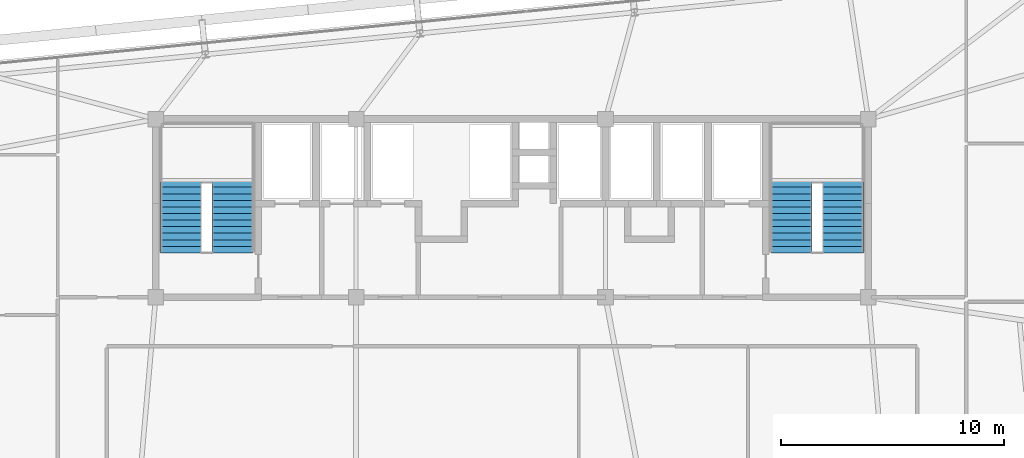
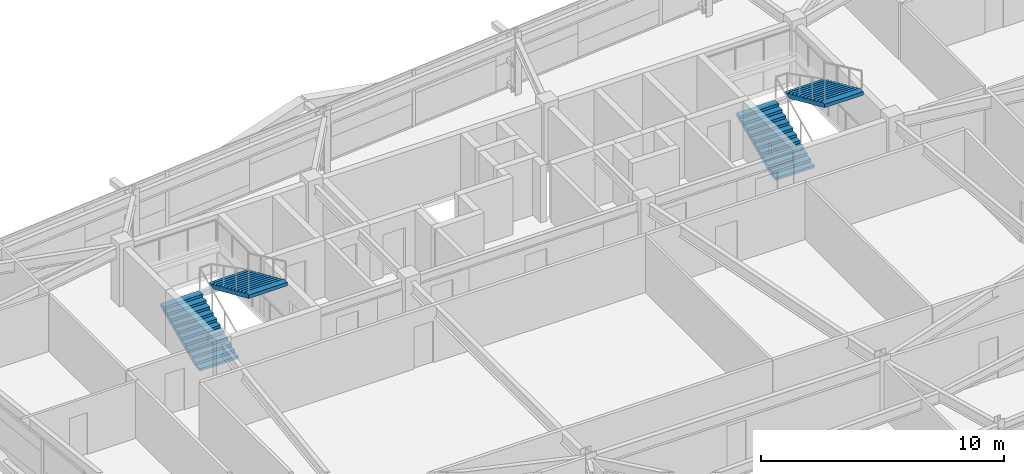
# One storey, part 44 of 47: 4 stair flights, 2 elements without a shape of their own.
"""IFC4 building model written with IfcOpenShell, lengths in metres."""

import ifcopenshell
import ifcopenshell.guid

model = None  # the IFC model being written
_history = None  # IfcOwnerHistory: only IFC2X3 demands one
_inside = {}  # id of a spatial element -> (the spatial element, [elements in it])
_under = {}  # id of a project, library or spatial element -> (it, [spatial elements below it])
_declared = {}  # id of a project -> (the project, [libraries it declares])
_typed = {}  # id of a type object -> (the type object, [elements of that type])
_made_of = {}  # id of a material, layer set ... -> (it, [elements and type objects made of it])


def new_model(schema):
    """Start an empty IFC model of exactly this schema.

    Asked for "IFC4X3", IfcOpenShell would pick the latest addendum, in which some entities
    have other attributes; the version numbers below select the first issue.
    IFC2X3 requires an IfcOwnerHistory on every rooted entity: one is made here for all.
    """
    global model, _history
    if schema == "IFC4X3":
        model = ifcopenshell.file(schema_version=(4, 3, 0, 0))
    else:
        model = ifcopenshell.file(schema=schema)
    _inside.clear()
    _under.clear()
    _declared.clear()
    _typed.clear()
    _made_of.clear()
    _history = None
    if model.schema == "IFC2X3":
        org = make("IfcOrganization", Name="unknown")
        user = make(
            "IfcPersonAndOrganization",
            ThePerson=make("IfcPerson", FamilyName="unknown"),
            TheOrganization=org,
        )
        app = make(
            "IfcApplication",
            ApplicationDeveloper=org,
            Version="unknown",
            ApplicationFullName="unknown",
            ApplicationIdentifier="unknown",
        )
        _history = make(
            "IfcOwnerHistory",
            OwningUser=user,
            OwningApplication=app,
            ChangeAction="ADDED",
            CreationDate=0,
        )
    return model


def make(cls, **values):
    """One entity of the class cls with the attributes given. An attribute that is None is left unset."""
    return model.create_entity(
        cls, **{name: value for name, value in values.items() if value is not None}
    )


def rooted(cls, **values):
    """An entity with a GlobalId (a new one), such as an element, a storey or a relation."""
    return make(cls, GlobalId=ifcopenshell.guid.new(), OwnerHistory=_history, **values)


def si_unit(unit_type, name, prefix=None):
    """IfcSIUnit, for example si_unit("LENGTHUNIT", "METRE", prefix="MILLI")."""
    return make("IfcSIUnit", UnitType=unit_type, Prefix=prefix, Name=name)


def assignment(units):
    """IfcUnitAssignment: the units of a project."""
    return None if units is None else make("IfcUnitAssignment", Units=units)


def point(xyz):
    """IfcCartesianPoint."""
    return None if xyz is None else make("IfcCartesianPoint", Coordinates=xyz)


def direction(xyz):
    """IfcDirection."""
    return None if xyz is None else make("IfcDirection", DirectionRatios=xyz)


def frame(location, z_axis=None, x_axis=None):
    """IfcAxis2Placement3D, a coordinate frame: its origin and axes. An axis left out is left unset."""
    return make(
        "IfcAxis2Placement3D",
        Location=point(location),
        Axis=direction(z_axis),
        RefDirection=direction(x_axis),
    )


def origin():
    """The frame at (0, 0, 0) with its axes left unset."""
    return frame((0.0, 0.0, 0.0))


def place(relative_to, where):
    """IfcLocalPlacement: puts the frame where relative to a parent placement (None: the world)."""
    return make(
        "IfcLocalPlacement", PlacementRelTo=relative_to, RelativePlacement=where
    )


def context(
    kind, dimensions, precision=None, world=None, true_north=None, identifier=None
):
    """IfcGeometricRepresentationContext, for example the 3D "Model" context."""
    return make(
        "IfcGeometricRepresentationContext",
        ContextIdentifier=identifier,
        ContextType=kind,
        CoordinateSpaceDimension=dimensions,
        Precision=precision,
        WorldCoordinateSystem=world,
        TrueNorth=true_north,
    )


def subcontext(parent, identifier, kind, view, scale=None):
    """IfcGeometricRepresentationSubContext, for example "Body" below "Model"."""
    return make(
        "IfcGeometricRepresentationSubContext",
        ContextIdentifier=identifier,
        ContextType=kind,
        ParentContext=parent,
        TargetScale=scale,
        TargetView=view,
    )


def project(units=None, contexts=None):
    """IfcProject with its units and contexts."""
    return rooted(
        "IfcProject",
        Name="project",
        RepresentationContexts=contexts,
        UnitsInContext=assignment(units),
    )


def spatial(cls, under=None, at=None, **own):
    """A site, building, storey or space (cls), placed at a placement, below another one or the project."""
    s = rooted(cls, ObjectPlacement=at, **own)
    if under is not None:
        _under.setdefault(under.id(), (under, []))[1].append(s)
    return s


def polyline(points):
    """IfcPolyline through the points."""
    return make("IfcPolyline", Points=[point(p) for p in points])


def outline(outer, holes=None, kind="AREA"):
    """IfcArbitraryClosedProfileDef: a profile drawn as a closed curve; with holes, ...WithVoids."""
    if holes is None:
        return make("IfcArbitraryClosedProfileDef", ProfileType=kind, OuterCurve=outer)
    return make(
        "IfcArbitraryProfileDefWithVoids",
        ProfileType=kind,
        OuterCurve=outer,
        InnerCurves=holes,
    )


def extrude(swept, where, along, depth):
    """IfcExtrudedAreaSolid: the profile swept, set in the frame where, extruded along a direction by depth."""
    return make(
        "IfcExtrudedAreaSolid",
        SweptArea=swept,
        Position=where,
        ExtrudedDirection=direction(along),
        Depth=depth,
    )


def shape(context_of_items, identifier, shape_type, items):
    """IfcShapeRepresentation: the items that make up one representation, for example the "Body"."""
    return make(
        "IfcShapeRepresentation",
        ContextOfItems=context_of_items,
        RepresentationIdentifier=identifier,
        RepresentationType=shape_type,
        Items=items,
    )


def material(Name=None, Category=None):
    """IfcMaterial."""
    return make("IfcMaterial", Name=Name, Category=Category)


def made_of(thing, what):
    """Note that an element or type object is made of a material, layer set ...; save() writes the relation."""
    if what is not None:
        _made_of.setdefault(what.id(), (what, []))[1].append(thing)
    return thing


def type_object(cls, material=None, **own):
    """A type object (cls), such as IfcWallType, which elements share."""
    return made_of(rooted(cls, **own), material)


def element(
    cls,
    number,
    at=None,
    inside=None,
    cuts=None,
    type_object=None,
    material=None,
    context=None,
    identifier="Body",
    shape_type=None,
    held_by="IfcProductDefinitionShape",
    body=None,
    shapes=None,
    **own,
):
    """One element of the class cls, such as IfcWall. Its Tag is "e" and its number.

    at: its placement. inside: the storey or other place that contains it. cuts: it is an
    opening in that element (IfcRelVoidsElement). A single representation is given by context,
    identifier, shape_type and body (its items); several are given by shapes. held_by: the class
    of the entity that holds the representations. save() writes the other relations.
    """
    e = rooted(cls, Tag="e%d" % number, ObjectPlacement=at, **own)
    if body is not None:
        shapes = [shape(context, identifier, shape_type, body)]
    if shapes is not None:
        e.Representation = make(held_by, Representations=shapes)
    if inside is not None:
        _inside.setdefault(inside.id(), (inside, []))[1].append(e)
    if cuts is not None:
        rooted(
            "IfcRelVoidsElement", RelatingBuildingElement=cuts, RelatedOpeningElement=e
        )
    if type_object is not None:
        _typed.setdefault(type_object.id(), (type_object, []))[1].append(e)
    return made_of(e, material)


def aggregate(whole, parts):
    """IfcRelAggregates: a whole, such as a stair, and the parts it consists of."""
    return rooted("IfcRelAggregates", RelatingObject=whole, RelatedObjects=parts)


def save(model, path):
    """Write the relations noted so far, then the file.

    IfcRelAggregates (storeys below a building ...), IfcRelContainedInSpatialStructure (elements
    in a storey), IfcRelDefinesByType, IfcRelAssociatesMaterial and IfcRelDeclares: one each for
    every whole, place, type object, material and project.
    """
    for whole, parts in _under.values():
        aggregate(whole, parts)
    for where, things in _inside.values():
        rooted(
            "IfcRelContainedInSpatialStructure",
            RelatedElements=things,
            RelatingStructure=where,
        )
    for kind, things in _typed.values():
        rooted("IfcRelDefinesByType", RelatedObjects=things, RelatingType=kind)
    for what, things in _made_of.values():
        rooted("IfcRelAssociatesMaterial", RelatedObjects=things, RelatingMaterial=what)
    for by, libraries in _declared.values():
        rooted("IfcRelDeclares", RelatingContext=by, RelatedDefinitions=libraries)
    model.write(path)


model = new_model("IFC4")

# Units and contexts
model_context = context("Model", 3, precision=1e-05, world=origin(), true_north=direction((0.0, 1.0)))
body_context = subcontext(model_context, "Body", "Model", "MODEL_VIEW")
ifc_project = project(units=[si_unit("LENGTHUNIT", "METRE"), si_unit("AREAUNIT", "SQUARE_METRE"), si_unit("VOLUMEUNIT", "CUBIC_METRE"), si_unit("PLANEANGLEUNIT", "RADIAN"), si_unit("MASSUNIT", "GRAM", prefix="KILO")], contexts=[model_context])

# Site, building, storey
site_placement = place(None, origin())
site = spatial("IfcSite", under=ifc_project, at=site_placement, CompositionType="ELEMENT")
building_placement = place(site_placement, origin())
building = spatial("IfcBuilding", under=site, at=building_placement, Name="Taldren Reach Tower", CompositionType="ELEMENT")
storey_placement = place(building_placement, frame((0.0, 0.0, 109.199951171875)))
storey = spatial("IfcBuildingStorey", under=building, at=storey_placement, Name="L33", CompositionType="ELEMENT", Elevation=109.199951171875)

# Stair, stair flights
ifc_material = material(Name="Concrete S50 (50 MPa)", Category="concrete")
stair_type = type_object("IfcStairType", Name="ST-HT-315", PredefinedType="HALF_TURN_STAIR", material=ifc_material)
stair_1_placement = place(storey_placement, origin())
stair_1 = element("IfcStair", 1, at=stair_1_placement, inside=storey, type_object=stair_type, Name="Fire-isolated exit stair ST1 L33", PredefinedType="HALF_TURN_STAIR")
stair_flight_type = type_object("IfcStairFlightType", Name="SF-STR-315", PredefinedType="STRAIGHT", material=ifc_material)
stair_flight_1_placement = place(storey_placement, frame((20.139892578125, 25.989990234375, 0.0), z_axis=(0.0, 0.0, 1.0), x_axis=(0.0, 1.0, 0.0)))
stair_flight_1 = element("IfcStairFlight", 2, at=stair_flight_1_placement, type_object=stair_flight_type, Name="ST1 flight 1", NumberOfRisers=12, NumberOfTreads=11, PredefinedType="STRAIGHT", RiserHeight=0.13125, TreadLength=0.295, context=body_context, shape_type="SweptSolid", body=[
    extrude(outline(polyline([(0.0, 0.0), (0.0, 0.13134765625), (0.294921875, 0.13134765625), (0.294921875, 0.262451171875), (0.590087890625, 0.262451171875), (0.590087890625, 0.393798828125), (0.885009765625, 0.393798828125), (0.885009765625, 0.52490234375), (1.179931640625, 0.52490234375), (1.179931640625, 0.65625), (1.47509765625, 0.65625), (1.47509765625, 0.78759765625), (1.77001953125, 0.78759765625), (1.77001953125, 0.918701171875), (2.06494140625, 0.918701171875), (2.06494140625, 1.050048828125), (2.360107421875, 1.050048828125), (2.360107421875, 1.18115234375), (2.655029296875, 1.18115234375), (2.655029296875, 1.3125), (2.949951171875, 1.3125), (2.949951171875, 1.44384765625), (3.2451171875, 1.44384765625), (3.2451171875, 1.574951171875), (3.2451171875, 1.268798828125), (0.393310546875, 0.0), (0.0, 0.0)])), frame((0.0, 0.919921875, 0.0), z_axis=(0.0, -1.0, 0.0), x_axis=(1.0, 0.0, 0.0)), (0.0, 0.0, 1.0), 1.840087890625),
])
stair_flight_2_placement = place(storey_placement, frame((22.4599609375, 29.235107421875, 1.574951171875), z_axis=(0.0, 0.0, 1.0), x_axis=(0.0, -1.0, 0.0)))
stair_flight_2 = element("IfcStairFlight", 3, at=stair_flight_2_placement, type_object=stair_flight_type, Name="ST1 flight 2", NumberOfRisers=12, NumberOfTreads=11, PredefinedType="STRAIGHT", RiserHeight=0.13125, TreadLength=0.295, context=body_context, shape_type="SweptSolid", body=[
    extrude(outline(polyline([(0.0, 0.0), (0.0, 0.13134765625), (0.294921875, 0.13134765625), (0.294921875, 0.262451171875), (0.590087890625, 0.262451171875), (0.590087890625, 0.393798828125), (0.885009765625, 0.393798828125), (0.885009765625, 0.52490234375), (1.179931640625, 0.52490234375), (1.179931640625, 0.65625), (1.47509765625, 0.65625), (1.47509765625, 0.78759765625), (1.77001953125, 0.78759765625), (1.77001953125, 0.918701171875), (2.06494140625, 0.918701171875), (2.06494140625, 1.050048828125), (2.360107421875, 1.050048828125), (2.360107421875, 1.18115234375), (2.655029296875, 1.18115234375), (2.655029296875, 1.3125), (2.949951171875, 1.3125), (2.949951171875, 1.44384765625), (3.2451171875, 1.44384765625), (3.2451171875, 1.574951171875), (3.2451171875, 1.268798828125), (0.393310546875, 0.0), (0.0, 0.0)])), frame((0.0, 0.919921875, 0.0), z_axis=(0.0, -1.0, 0.0), x_axis=(1.0, 0.0, 0.0)), (0.0, 0.0, 1.0), 1.840087890625),
])
aggregate(stair_1, [stair_flight_1, stair_flight_2])

stair_2_placement = place(storey_placement, origin())
stair_2 = element("IfcStair", 4, at=stair_2_placement, inside=storey, type_object=stair_type, Name="Fire-isolated exit stair ST2 L33", PredefinedType="HALF_TURN_STAIR")
stair_flight_3_placement = place(storey_placement, frame((47.5400390625, 25.989990234375, 0.0), z_axis=(0.0, 0.0, 1.0), x_axis=(0.0, 1.0, 0.0)))
stair_flight_3 = element("IfcStairFlight", 5, at=stair_flight_3_placement, type_object=stair_flight_type, Name="ST2 flight 1", NumberOfRisers=12, NumberOfTreads=11, PredefinedType="STRAIGHT", RiserHeight=0.13125, TreadLength=0.295, context=body_context, shape_type="SweptSolid", body=[
    extrude(outline(polyline([(0.0, 0.0), (0.0, 0.13134765625), (0.294921875, 0.13134765625), (0.294921875, 0.262451171875), (0.590087890625, 0.262451171875), (0.590087890625, 0.393798828125), (0.885009765625, 0.393798828125), (0.885009765625, 0.52490234375), (1.179931640625, 0.52490234375), (1.179931640625, 0.65625), (1.47509765625, 0.65625), (1.47509765625, 0.78759765625), (1.77001953125, 0.78759765625), (1.77001953125, 0.918701171875), (2.06494140625, 0.918701171875), (2.06494140625, 1.050048828125), (2.360107421875, 1.050048828125), (2.360107421875, 1.18115234375), (2.655029296875, 1.18115234375), (2.655029296875, 1.3125), (2.949951171875, 1.3125), (2.949951171875, 1.44384765625), (3.2451171875, 1.44384765625), (3.2451171875, 1.574951171875), (3.2451171875, 1.268798828125), (0.393310546875, 0.0), (0.0, 0.0)])), frame((0.0, 0.919921875, 0.0), z_axis=(0.0, -1.0, 0.0), x_axis=(1.0, 0.0, 0.0)), (0.0, 0.0, 1.0), 1.840087890625),
])
stair_flight_4_placement = place(storey_placement, frame((49.860107421875, 29.235107421875, 1.574951171875), z_axis=(0.0, 0.0, 1.0), x_axis=(0.0, -1.0, 0.0)))
stair_flight_4 = element("IfcStairFlight", 6, at=stair_flight_4_placement, type_object=stair_flight_type, Name="ST2 flight 2", NumberOfRisers=12, NumberOfTreads=11, PredefinedType="STRAIGHT", RiserHeight=0.13125, TreadLength=0.295, context=body_context, shape_type="SweptSolid", body=[
    extrude(outline(polyline([(0.0, 0.0), (0.0, 0.13134765625), (0.294921875, 0.13134765625), (0.294921875, 0.262451171875), (0.590087890625, 0.262451171875), (0.590087890625, 0.393798828125), (0.885009765625, 0.393798828125), (0.885009765625, 0.52490234375), (1.179931640625, 0.52490234375), (1.179931640625, 0.65625), (1.47509765625, 0.65625), (1.47509765625, 0.78759765625), (1.77001953125, 0.78759765625), (1.77001953125, 0.918701171875), (2.06494140625, 0.918701171875), (2.06494140625, 1.050048828125), (2.360107421875, 1.050048828125), (2.360107421875, 1.18115234375), (2.655029296875, 1.18115234375), (2.655029296875, 1.3125), (2.949951171875, 1.3125), (2.949951171875, 1.44384765625), (3.2451171875, 1.44384765625), (3.2451171875, 1.574951171875), (3.2451171875, 1.268798828125), (0.393310546875, 0.0), (0.0, 0.0)])), frame((0.0, 0.919921875, 0.0), z_axis=(0.0, -1.0, 0.0), x_axis=(1.0, 0.0, 0.0)), (0.0, 0.0, 1.0), 1.840087890625),
])
aggregate(stair_2, [stair_flight_3, stair_flight_4])

save(model, "model.ifc")
